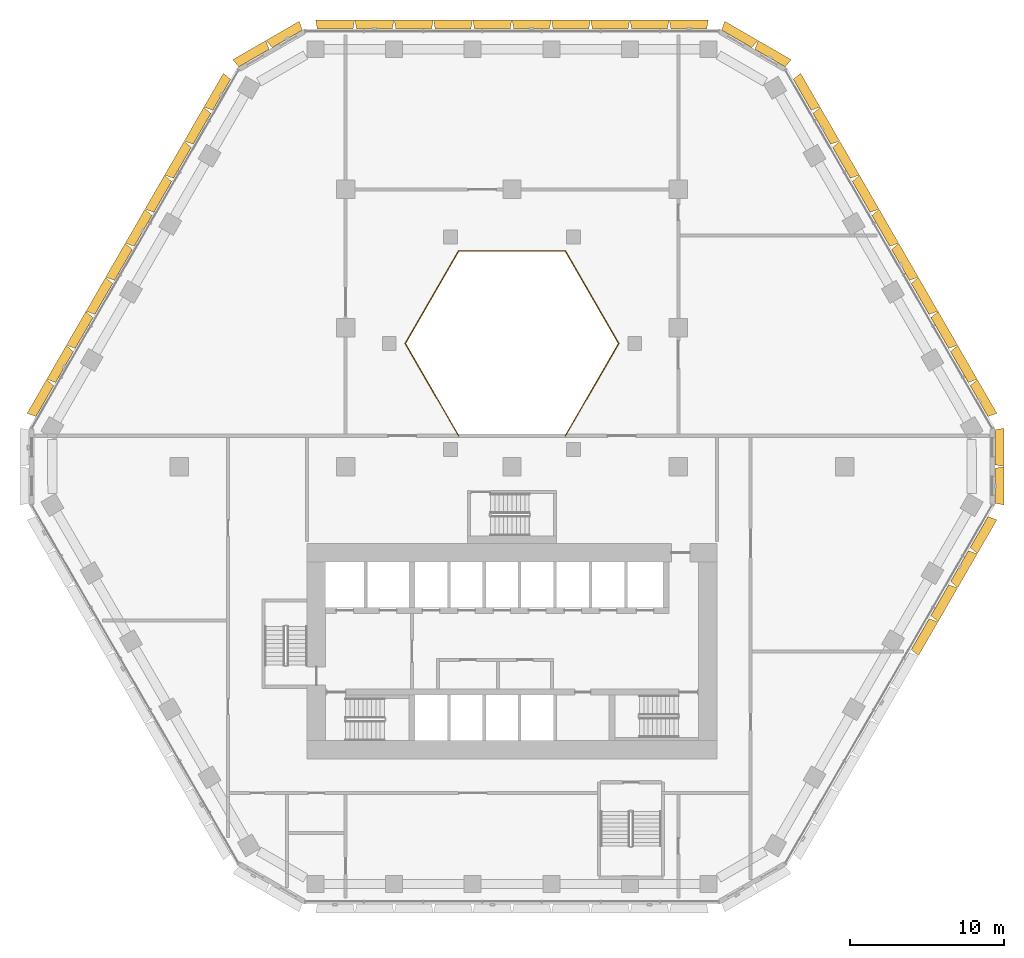
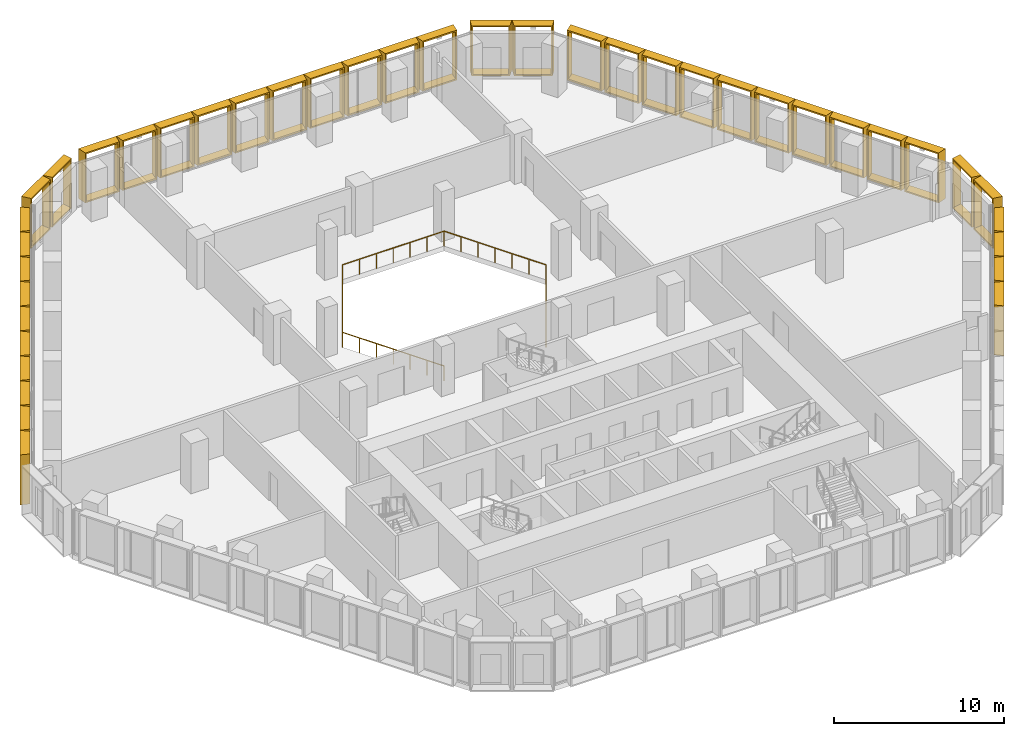
# One storey, part 25 of 25: 40 shading devices, 1 railing.
"""IFC4 building model written with IfcOpenShell, lengths in metres."""

from ifc_helpers import new_model, entity, si_unit, direction, frame, origin, origin_2d, place, context, subcontext, project, spatial, rectangle, extrude, source, transform, mapped, material, type_object, type_shapes, element, save


model = new_model("IFC4")

# Units and contexts
model_context = context("Model", 3, precision=1e-05, world=origin(), true_north=direction((0.0, 1.0)))
body_context = subcontext(model_context, "Body", "Model", "MODEL_VIEW")
ifc_project = project(units=[si_unit("LENGTHUNIT", "METRE"), si_unit("AREAUNIT", "SQUARE_METRE"), si_unit("VOLUMEUNIT", "CUBIC_METRE"), si_unit("PLANEANGLEUNIT", "RADIAN"), si_unit("MASSUNIT", "GRAM", prefix="KILO")], contexts=[model_context])

# Site, building, storey
site_placement = place(None, origin())
site = spatial("IfcSite", under=ifc_project, at=site_placement, CompositionType="ELEMENT")
building_placement = place(site_placement, origin())
building = spatial("IfcBuilding", under=site, at=building_placement, Name="Beryl Residences", CompositionType="ELEMENT")
storey_placement = place(building_placement, frame((0.0, 0.0, 16.199951171875)))
storey = spatial("IfcBuildingStorey", under=building, at=storey_placement, Name="L04", CompositionType="ELEMENT", Elevation=16.199951171875)

# Railing
ifc_material_1 = material(Name="Stainless steel balustrade with glass infill", Category="steel")
railing_type = type_object("IfcRailingType", Name="EG1 edge guard 1100 mm", PredefinedType="GUARDRAIL", material=ifc_material_1)
railing_placement = place(storey_placement, frame((3.464111328125, 2.0, 0.0)))
element("IfcRailing", 1, at=railing_placement, inside=storey, type_object=railing_type, Name="L04 guard 7", PredefinedType="GUARDRAIL", context=body_context, shape_type="SweptSolid", body=[
    extrude(rectangle(XDim=0.048095703125, YDim=0.048095703125, at=origin_2d()), frame((0.0, 0.0, 1.076171875), z_axis=(0.49997462182, 0.866040055388, 0.0), x_axis=(-0.866040055388, 0.49997462182, 0.0)), (0.0, 0.0, 1.0), 6.927978515625),
    extrude(rectangle(XDim=0.048095703125, YDim=0.048095703125, at=origin_2d()), frame((3.4638671875, 6.0, 1.076171875), z_axis=(-0.49997462182, 0.866040055388, 0.0), x_axis=(-0.866040055388, -0.49997462182, 0.0)), (0.0, 0.0, 1.0), 6.927978515625),
    extrude(rectangle(XDim=0.048095703125, YDim=0.048095703125, at=origin_2d()), frame((0.0, 12.0, 1.076171875), z_axis=(-1.0, 0.0, 0.0), x_axis=(0.0, -1.0, 0.0)), (0.0, 0.0, 1.0), 6.92822265625),
    extrude(rectangle(XDim=0.048095703125, YDim=0.048095703125, at=origin_2d()), frame((-6.92822265625, 12.0, 1.076171875), z_axis=(-0.49997462182, -0.866040055388, 0.0), x_axis=(0.866040055388, -0.49997462182, 0.0)), (0.0, 0.0, 1.0), 6.927978515625),
    extrude(rectangle(XDim=0.048095703125, YDim=0.048095703125, at=origin_2d()), frame((-10.39208984375, 6.0, 1.076171875), z_axis=(0.49997462182, -0.866040055388, 0.0), x_axis=(0.866040055388, 0.49997462182, 0.0)), (0.0, 0.0, 1.0), 6.927978515625),
    extrude(rectangle(XDim=0.0419921875, YDim=0.0419921875, at=origin_2d()), origin(), (0.0, 0.0, 1.0), 1.052001953125),
    extrude(rectangle(XDim=0.0419921875, YDim=0.0419921875, at=origin_2d()), frame((0.577392578125, 1.0, 0.0)), (0.0, 0.0, 1.0), 1.052001953125),
    extrude(rectangle(XDim=0.0419921875, YDim=0.0419921875, at=origin_2d()), frame((1.154541015625, 2.0, 0.0)), (0.0, 0.0, 1.0), 1.052001953125),
    extrude(rectangle(XDim=0.0419921875, YDim=0.0419921875, at=origin_2d()), frame((1.73193359375, 3.0, 0.0)), (0.0, 0.0, 1.0), 1.052001953125),
    extrude(rectangle(XDim=0.0419921875, YDim=0.0419921875, at=origin_2d()), frame((2.309326171875, 4.0, 0.0)), (0.0, 0.0, 1.0), 1.052001953125),
    extrude(rectangle(XDim=0.0419921875, YDim=0.0419921875, at=origin_2d()), frame((2.886474609375, 5.0, 0.0)), (0.0, 0.0, 1.0), 1.052001953125),
    extrude(rectangle(XDim=0.0419921875, YDim=0.0419921875, at=origin_2d()), frame((3.4638671875, 6.0, 0.0)), (0.0, 0.0, 1.0), 1.052001953125),
    extrude(rectangle(XDim=0.0419921875, YDim=0.0419921875, at=origin_2d()), frame((2.886474609375, 7.0, 0.0)), (0.0, 0.0, 1.0), 1.052001953125),
    extrude(rectangle(XDim=0.0419921875, YDim=0.0419921875, at=origin_2d()), frame((2.309326171875, 8.0, 0.0)), (0.0, 0.0, 1.0), 1.052001953125),
    extrude(rectangle(XDim=0.0419921875, YDim=0.0419921875, at=origin_2d()), frame((1.73193359375, 9.0, 0.0)), (0.0, 0.0, 1.0), 1.052001953125),
    extrude(rectangle(XDim=0.0419921875, YDim=0.0419921875, at=origin_2d()), frame((1.154541015625, 10.0, 0.0)), (0.0, 0.0, 1.0), 1.052001953125),
    extrude(rectangle(XDim=0.0419921875, YDim=0.0419921875, at=origin_2d()), frame((0.577392578125, 11.0, 0.0)), (0.0, 0.0, 1.0), 1.052001953125),
    extrude(rectangle(XDim=0.0419921875, YDim=0.0419921875, at=origin_2d()), frame((0.0, 12.0, 0.0)), (0.0, 0.0, 1.0), 1.052001953125),
    extrude(rectangle(XDim=0.0419921875, YDim=0.0419921875, at=origin_2d()), frame((-1.15478515625, 12.0, 0.0)), (0.0, 0.0, 1.0), 1.052001953125),
    extrude(rectangle(XDim=0.0419921875, YDim=0.0419921875, at=origin_2d()), frame((-2.309326171875, 12.0, 0.0)), (0.0, 0.0, 1.0), 1.052001953125),
    extrude(rectangle(XDim=0.0419921875, YDim=0.0419921875, at=origin_2d()), frame((-3.464111328125, 12.0, 0.0)), (0.0, 0.0, 1.0), 1.052001953125),
    extrude(rectangle(XDim=0.0419921875, YDim=0.0419921875, at=origin_2d()), frame((-4.618896484375, 12.0, 0.0)), (0.0, 0.0, 1.0), 1.052001953125),
    extrude(rectangle(XDim=0.0419921875, YDim=0.0419921875, at=origin_2d()), frame((-5.7734375, 12.0, 0.0)), (0.0, 0.0, 1.0), 1.052001953125),
    extrude(rectangle(XDim=0.0419921875, YDim=0.0419921875, at=origin_2d()), frame((-6.92822265625, 12.0, 0.0)), (0.0, 0.0, 1.0), 1.052001953125),
    extrude(rectangle(XDim=0.0419921875, YDim=0.0419921875, at=origin_2d()), frame((-7.505615234375, 11.0, 0.0)), (0.0, 0.0, 1.0), 1.052001953125),
    extrude(rectangle(XDim=0.0419921875, YDim=0.0419921875, at=origin_2d()), frame((-8.082763671875, 10.0, 0.0)), (0.0, 0.0, 1.0), 1.052001953125),
    extrude(rectangle(XDim=0.0419921875, YDim=0.0419921875, at=origin_2d()), frame((-8.66015625, 9.0, 0.0)), (0.0, 0.0, 1.0), 1.052001953125),
    extrude(rectangle(XDim=0.0419921875, YDim=0.0419921875, at=origin_2d()), frame((-9.237548828125, 8.0, 0.0)), (0.0, 0.0, 1.0), 1.052001953125),
    extrude(rectangle(XDim=0.0419921875, YDim=0.0419921875, at=origin_2d()), frame((-9.814697265625, 7.0, 0.0)), (0.0, 0.0, 1.0), 1.052001953125),
    extrude(rectangle(XDim=0.0419921875, YDim=0.0419921875, at=origin_2d()), frame((-10.39208984375, 6.0, 0.0)), (0.0, 0.0, 1.0), 1.052001953125),
    extrude(rectangle(XDim=0.0419921875, YDim=0.0419921875, at=origin_2d()), frame((-9.814697265625, 5.0, 0.0)), (0.0, 0.0, 1.0), 1.052001953125),
    extrude(rectangle(XDim=0.0419921875, YDim=0.0419921875, at=origin_2d()), frame((-9.237548828125, 4.0, 0.0)), (0.0, 0.0, 1.0), 1.052001953125),
    extrude(rectangle(XDim=0.0419921875, YDim=0.0419921875, at=origin_2d()), frame((-8.66015625, 3.0, 0.0)), (0.0, 0.0, 1.0), 1.052001953125),
    extrude(rectangle(XDim=0.0419921875, YDim=0.0419921875, at=origin_2d()), frame((-8.082763671875, 2.0, 0.0)), (0.0, 0.0, 1.0), 1.052001953125),
    extrude(rectangle(XDim=0.0419921875, YDim=0.0419921875, at=origin_2d()), frame((-7.505615234375, 1.0, 0.0)), (0.0, 0.0, 1.0), 1.052001953125),
    extrude(rectangle(XDim=0.0419921875, YDim=0.0419921875, at=origin_2d()), frame((-6.92822265625, 0.0, 0.0)), (0.0, 0.0, 1.0), 1.052001953125),
])

# Shading devices
ifc_material_2 = material(Name="Aluminium pale anodised", Category="aluminium")
shading_device_type_1 = type_object("IfcShadingDeviceType", Name="FR250-60A-H36 OUTER SKIN frame 600 mm deep, splay 10/10 deg, 2500 x 3600 mm cell", PredefinedType="USERDEFINED", material=ifc_material_2)
cartesian_point_1 = entity("IfcCartesianPoint", [-1.134033203125, 0.0])
cartesian_point_2 = entity("IfcCartesianPoint", [-1.052734375, 0.10009765625])
cartesian_point_3 = entity("IfcCartesianPoint", [-1.23974609375, 0.0])
cartesian_point_4 = entity("IfcCartesianPoint", [-1.158447265625, 0.10009765625])
shared_shape_1 = source(origin(), body_context, "Body", "SweptSolid", [
    entity("IfcExtrudedAreaSolidTapered", entity("IfcArbitraryProfileDefWithVoids", "AREA", None, entity("IfcPolyline", [cartesian_point_1, entity("IfcCartesianPoint", [1.134033203125, 0.0]), entity("IfcCartesianPoint", [1.134033203125, 3.60009765625]), entity("IfcCartesianPoint", [-1.134033203125, 3.60009765625]), cartesian_point_1]), [entity("IfcPolyline", [cartesian_point_2, entity("IfcCartesianPoint", [1.052734375, 0.10009765625]), entity("IfcCartesianPoint", [1.052734375, 3.5]), entity("IfcCartesianPoint", [-1.052734375, 3.5]), cartesian_point_2])]), entity("IfcAxis2Placement3D", entity("IfcCartesianPoint", [0.0, 0.0, 0.0]), entity("IfcDirection", [0.0, 1.0, 0.0]), entity("IfcDirection", [-1.0, 0.0, 0.0])), entity("IfcDirection", [0.0, 0.0, 1.0]), 0.60009765625, entity("IfcArbitraryProfileDefWithVoids", "AREA", None, entity("IfcPolyline", [cartesian_point_3, entity("IfcCartesianPoint", [1.23974609375, 0.0]), entity("IfcCartesianPoint", [1.23974609375, 3.60009765625]), entity("IfcCartesianPoint", [-1.23974609375, 3.60009765625]), cartesian_point_3]), [entity("IfcPolyline", [cartesian_point_4, entity("IfcCartesianPoint", [1.158447265625, 0.10009765625]), entity("IfcCartesianPoint", [1.158447265625, 3.5]), entity("IfcCartesianPoint", [-1.158447265625, 3.5]), cartesian_point_4])])),
])
type_shapes(shading_device_type_1, [shared_shape_1])
for number, where, z_axis, x_axis, name in (
    (2, (-14.593017578125, 27.77490234375, 0.0), (0.0, 0.0, 1.0), (0.866025403784, 0.5, 0.0), "FR250-60A-H36 frame L04 N-NW 1"),
    (3, (-16.758056640625, 26.52490234375, 0.0), (0.0, 0.0, 1.0), (0.866025403784, 0.5, 0.0), "FR250-60A-H36 frame L04 N-NW 2"),
    (4, (31.35009765625, -1.25, 0.0), (0.0, 0.0, 1.0), (0.0, -1.0, 0.0), "FR250-60A-H36 frame L04 SE-NE 1"),
    (5, (31.35009765625, 1.25, 0.0), (0.0, 0.0, 1.0), (0.0, -1.0, 0.0), "FR250-60A-H36 frame L04 SE-NE 2"),
    (6, (16.758056640625, 26.52490234375, 0.0), (0.0, 0.0, 1.0), (0.866025403784, -0.5, 0.0), "FR250-60A-H36 frame L04 NE-N 1"),
    (7, (14.593017578125, 27.77490234375, 0.0), (0.0, 0.0, 1.0), (0.866025403784, -0.5, 0.0), "FR250-60A-H36 frame L04 NE-N 2"),
):
    element("IfcShadingDevice", number, at=place(storey_placement, frame(where, z_axis=z_axis, x_axis=x_axis)), inside=storey, type_object=shading_device_type_1, Name=name, ObjectType="OUTER SKIN", PredefinedType="USERDEFINED", context=body_context, shape_type="MappedRepresentation", body=[
        mapped(shared_shape_1, transform((0.0, 0.0, 0.0))),
    ])
ifc_material_3 = material(Name="Aluminium pale anodised", Category="aluminium")
shading_device_type_2 = type_object("IfcShadingDeviceType", Name="FR255-60A-H36 OUTER SKIN frame 600 mm deep, splay 10/10 deg, 2550 x 3600 mm cell", PredefinedType="USERDEFINED", material=ifc_material_3)
cartesian_point_5 = entity("IfcCartesianPoint", [-1.158935546875, 0.0])
cartesian_point_6 = entity("IfcCartesianPoint", [-1.077880859375, 0.10009765625])
cartesian_point_7 = entity("IfcCartesianPoint", [-1.264892578125, 0.0])
cartesian_point_8 = entity("IfcCartesianPoint", [-1.18359375, 0.10009765625])
shared_shape_2 = source(origin(), body_context, "Body", "SweptSolid", [
    entity("IfcExtrudedAreaSolidTapered", entity("IfcArbitraryProfileDefWithVoids", "AREA", None, entity("IfcPolyline", [cartesian_point_5, entity("IfcCartesianPoint", [1.158935546875, 0.0]), entity("IfcCartesianPoint", [1.158935546875, 3.60009765625]), entity("IfcCartesianPoint", [-1.158935546875, 3.60009765625]), cartesian_point_5]), [entity("IfcPolyline", [cartesian_point_6, entity("IfcCartesianPoint", [1.077880859375, 0.10009765625]), entity("IfcCartesianPoint", [1.077880859375, 3.5]), entity("IfcCartesianPoint", [-1.077880859375, 3.5]), cartesian_point_6])]), entity("IfcAxis2Placement3D", entity("IfcCartesianPoint", [0.0, 0.0, 0.0]), entity("IfcDirection", [0.0, 1.0, 0.0]), entity("IfcDirection", [-1.0, 0.0, 0.0])), entity("IfcDirection", [0.0, 0.0, 1.0]), 0.60009765625, entity("IfcArbitraryProfileDefWithVoids", "AREA", None, entity("IfcPolyline", [cartesian_point_7, entity("IfcCartesianPoint", [1.264892578125, 0.0]), entity("IfcCartesianPoint", [1.264892578125, 3.60009765625]), entity("IfcCartesianPoint", [-1.264892578125, 3.60009765625]), cartesian_point_7]), [entity("IfcPolyline", [cartesian_point_8, entity("IfcCartesianPoint", [1.18359375, 0.10009765625]), entity("IfcCartesianPoint", [1.18359375, 3.5]), entity("IfcCartesianPoint", [-1.18359375, 3.5]), cartesian_point_8])])),
])
type_shapes(shading_device_type_2, [shared_shape_2])
for number, where, z_axis, x_axis, name in (
    (8, (11.48291015625, 28.39990234375, 0.0), (0.0, 0.0, 1.0), (1.0, 0.0, 0.0), "FR255-60A-H36 frame L04 N 1"),
    (9, (8.930908203125, 28.39990234375, 0.0), (0.0, 0.0, 1.0), (1.0, 0.0, 0.0), "FR255-60A-H36 frame L04 N 2"),
    (10, (6.37890625, 28.39990234375, 0.0), (0.0, 0.0, 1.0), (1.0, 0.0, 0.0), "FR255-60A-H36 frame L04 N 3"),
    (11, (3.826904296875, 28.39990234375, 0.0), (0.0, 0.0, 1.0), (1.0, 0.0, 0.0), "FR255-60A-H36 frame L04 N 4"),
    (12, (1.27490234375, 28.39990234375, 0.0), (0.0, 0.0, 1.0), (1.0, 0.0, 0.0), "FR255-60A-H36 frame L04 N 5"),
    (13, (-1.277099609375, 28.39990234375, 0.0), (0.0, 0.0, 1.0), (1.0, 0.0, 0.0), "FR255-60A-H36 frame L04 N 6"),
    (14, (-3.8291015625, 28.39990234375, 0.0), (0.0, 0.0, 1.0), (1.0, 0.0, 0.0), "FR255-60A-H36 frame L04 N 7"),
    (15, (-6.381103515625, 28.39990234375, 0.0), (0.0, 0.0, 1.0), (1.0, 0.0, 0.0), "FR255-60A-H36 frame L04 N 8"),
    (16, (-8.93310546875, 28.39990234375, 0.0), (0.0, 0.0, 1.0), (1.0, 0.0, 0.0), "FR255-60A-H36 frame L04 N 9"),
    (17, (-11.485107421875, 28.39990234375, 0.0), (0.0, 0.0, 1.0), (1.0, 0.0, 0.0), "FR255-60A-H36 frame L04 N 10"),
    (18, (-18.85400390625, 24.14501953125, 0.0), (0.0, 0.0, 1.0), (0.5, 0.866025403784, 0.0), "FR255-60A-H36 frame L04 NW 1"),
    (19, (-20.1298828125, 21.93505859375, 0.0), (0.0, 0.0, 1.0), (0.5, 0.866025403784, 0.0), "FR255-60A-H36 frame L04 NW 2"),
    (20, (-21.406005859375, 19.72412109375, 0.0), (0.0, 0.0, 1.0), (0.5, 0.866025403784, 0.0), "FR255-60A-H36 frame L04 NW 3"),
    (21, (-22.681884765625, 17.513916015625, 0.0), (0.0, 0.0, 1.0), (0.5, 0.866025403784, 0.0), "FR255-60A-H36 frame L04 NW 4"),
    (22, (-23.9580078125, 15.303955078125, 0.0), (0.0, 0.0, 1.0), (0.5, 0.866025403784, 0.0), "FR255-60A-H36 frame L04 NW 5"),
    (23, (-25.23291015625, 13.093994140625, 0.0), (0.0, 0.0, 1.0), (0.5, 0.866025403784, 0.0), "FR255-60A-H36 frame L04 NW 6"),
    (24, (-26.509033203125, 10.884033203125, 0.0), (0.0, 0.0, 1.0), (0.5, 0.866025403784, 0.0), "FR255-60A-H36 frame L04 NW 7"),
    (25, (-27.784912109375, 8.674072265625, 0.0), (0.0, 0.0, 1.0), (0.5, 0.866025403784, 0.0), "FR255-60A-H36 frame L04 NW 8"),
    (26, (-29.06103515625, 6.464111328125, 0.0), (0.0, 0.0, 1.0), (0.5, 0.866025403784, 0.0), "FR255-60A-H36 frame L04 NW 9"),
    (27, (-30.3369140625, 4.25390625, 0.0), (0.0, 0.0, 1.0), (0.5, 0.866025403784, 0.0), "FR255-60A-H36 frame L04 NW 10"),
    (28, (26.509033203125, -10.884033203125, 0.0), (0.0, 0.0, 1.0), (-0.5, -0.866025403784, 0.0), "FR255-60A-H36 frame L04 SE 7"),
    (29, (27.784912109375, -8.674072265625, 0.0), (0.0, 0.0, 1.0), (-0.5, -0.866025403784, 0.0), "FR255-60A-H36 frame L04 SE 8"),
    (30, (29.06103515625, -6.464111328125, 0.0), (0.0, 0.0, 1.0), (-0.5, -0.866025403784, 0.0), "FR255-60A-H36 frame L04 SE 9"),
    (31, (30.3369140625, -4.25390625, 0.0), (0.0, 0.0, 1.0), (-0.5, -0.866025403784, 0.0), "FR255-60A-H36 frame L04 SE 10"),
    (32, (30.3359375, 4.2548828125, 0.0), (0.0, 0.0, 1.0), (0.5, -0.866025403784, 0.0), "FR255-60A-H36 frame L04 NE 1"),
    (33, (29.06005859375, 6.465087890625, 0.0), (0.0, 0.0, 1.0), (0.5, -0.866025403784, 0.0), "FR255-60A-H36 frame L04 NE 2"),
    (34, (27.783935546875, 8.676025390625, 0.0), (0.0, 0.0, 1.0), (0.5, -0.866025403784, 0.0), "FR255-60A-H36 frame L04 NE 3"),
    (35, (26.508056640625, 10.885986328125, 0.0), (0.0, 0.0, 1.0), (0.5, -0.866025403784, 0.0), "FR255-60A-H36 frame L04 NE 4"),
    (36, (25.23193359375, 13.095947265625, 0.0), (0.0, 0.0, 1.0), (0.5, -0.866025403784, 0.0), "FR255-60A-H36 frame L04 NE 5"),
    (37, (23.95703125, 15.305908203125, 0.0), (0.0, 0.0, 1.0), (0.5, -0.866025403784, 0.0), "FR255-60A-H36 frame L04 NE 6"),
    (38, (22.680908203125, 17.51611328125, 0.0), (0.0, 0.0, 1.0), (0.5, -0.866025403784, 0.0), "FR255-60A-H36 frame L04 NE 7"),
    (39, (21.405029296875, 19.72607421875, 0.0), (0.0, 0.0, 1.0), (0.5, -0.866025403784, 0.0), "FR255-60A-H36 frame L04 NE 8"),
    (40, (20.12890625, 21.93603515625, 0.0), (0.0, 0.0, 1.0), (0.5, -0.866025403784, 0.0), "FR255-60A-H36 frame L04 NE 9"),
    (41, (18.85302734375, 24.14599609375, 0.0), (0.0, 0.0, 1.0), (0.5, -0.866025403784, 0.0), "FR255-60A-H36 frame L04 NE 10"),
):
    element("IfcShadingDevice", number, at=place(storey_placement, frame(where, z_axis=z_axis, x_axis=x_axis)), inside=storey, type_object=shading_device_type_2, Name=name, ObjectType="OUTER SKIN", PredefinedType="USERDEFINED", context=body_context, shape_type="MappedRepresentation", body=[
        mapped(shared_shape_2, transform((0.0, 0.0, 0.0))),
    ])

save(model, "model.ifc")
